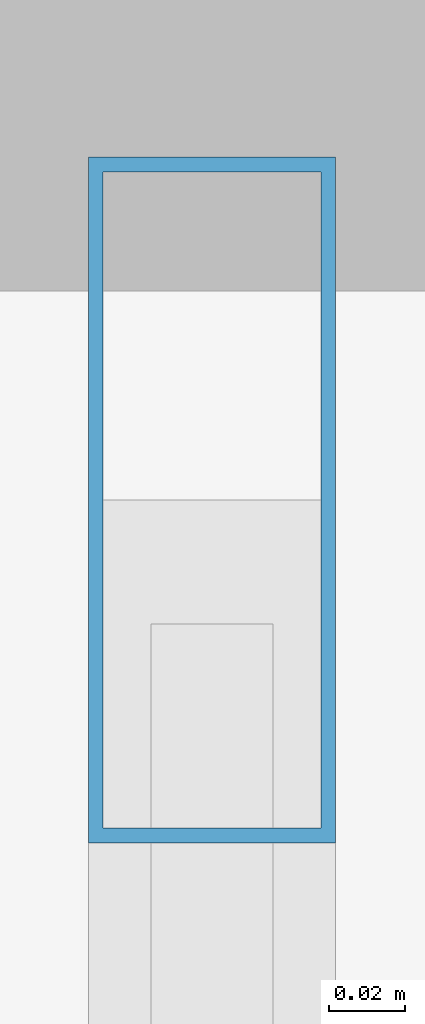
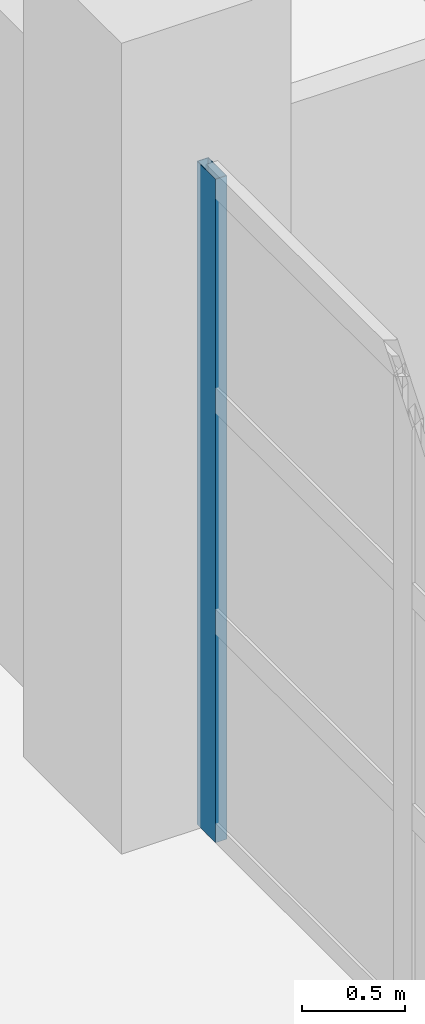
# One storey, part 32 of 82: 1 member, 1 element without a shape of its own.
"""IFC4 building model written with IfcOpenShell, lengths in metres."""

from ifc_helpers import new_model, si_unit, direction, frame, origin, origin_2d, place, context, subcontext, project, spatial, hollow_rectangle, extrude, material, material_profile, profile_set, type_object, element, aggregate, save


model = new_model("IFC4")

# Units and contexts
model_context = context("Model", 3, precision=1e-05, world=origin(), true_north=direction((0.0, 1.0)))
body_context = subcontext(model_context, "Body", "Model", "MODEL_VIEW")
ifc_project = project(units=[si_unit("LENGTHUNIT", "METRE"), si_unit("AREAUNIT", "SQUARE_METRE"), si_unit("VOLUMEUNIT", "CUBIC_METRE"), si_unit("PLANEANGLEUNIT", "RADIAN"), si_unit("MASSUNIT", "GRAM", prefix="KILO")], contexts=[model_context])

# Site, building, storey
site_placement = place(None, origin())
site = spatial("IfcSite", under=ifc_project, at=site_placement, CompositionType="ELEMENT")
building_placement = place(site_placement, origin())
building = spatial("IfcBuilding", under=site, at=building_placement, Name="Kelmvaro Bay Concert Hall", CompositionType="ELEMENT")
storey_placement = place(building_placement, origin())
storey = spatial("IfcBuildingStorey", under=building, at=storey_placement, Name="L00", CompositionType="ELEMENT", Elevation=0.0)

# Curtain wall, member
ifc_material_1 = material(Name="Anodised Aluminium and Low-E Insulated Glazing", Category="aluminium")
curtain_wall_type = type_object("IfcCurtainWallType", Name="West Link Courtyard Curtain Wall 4000", PredefinedType="USERDEFINED", material=ifc_material_1)
curtain_wall_placement = place(storey_placement, origin())
curtain_wall = element("IfcCurtainWall", 1, at=curtain_wall_placement, inside=storey, type_object=curtain_wall_type, Name="Unitised Curtain Wall CW-L00-129", ObjectType="UNITISED GLAZING", PredefinedType="USERDEFINED")
ifc_material_2 = material(Name="Anodised Extruded Aluminium 6063-T6", Category="aluminium")
ifc_material_profile = material_profile(ifc_material_2, hollow_rectangle(XDim=0.06494140625, YDim=0.179931640625, WallThickness=0.00390625, at=origin_2d()), Name="ALU-MUL-180X65")
ifc_profile_set = profile_set([ifc_material_profile], Name="Anodised Extruded Aluminium 6063-T6")
member_type = type_object("IfcMemberType", Name="Curtain Mullion ALU 180x65", PredefinedType="MULLION", material=ifc_profile_set)
member_placement = place(storey_placement, frame((0.0, 64.8701171875, 0.0), z_axis=(0.0, 0.0, 1.0), x_axis=(1.0, 0.0, 0.0)))
member = element("IfcMember", 2, at=member_placement, type_object=member_type, Name="CW-L00-129 Mullion 05", PredefinedType="MULLION", context=body_context, shape_type="SweptSolid", body=[
    extrude(hollow_rectangle(XDim=0.06494140625, YDim=0.179931640625, WallThickness=0.00390625, at=origin_2d()), origin(), (0.0, 0.0, 1.0), 3.927978515625),
])
aggregate(curtain_wall, [member])

save(model, "model.ifc")
